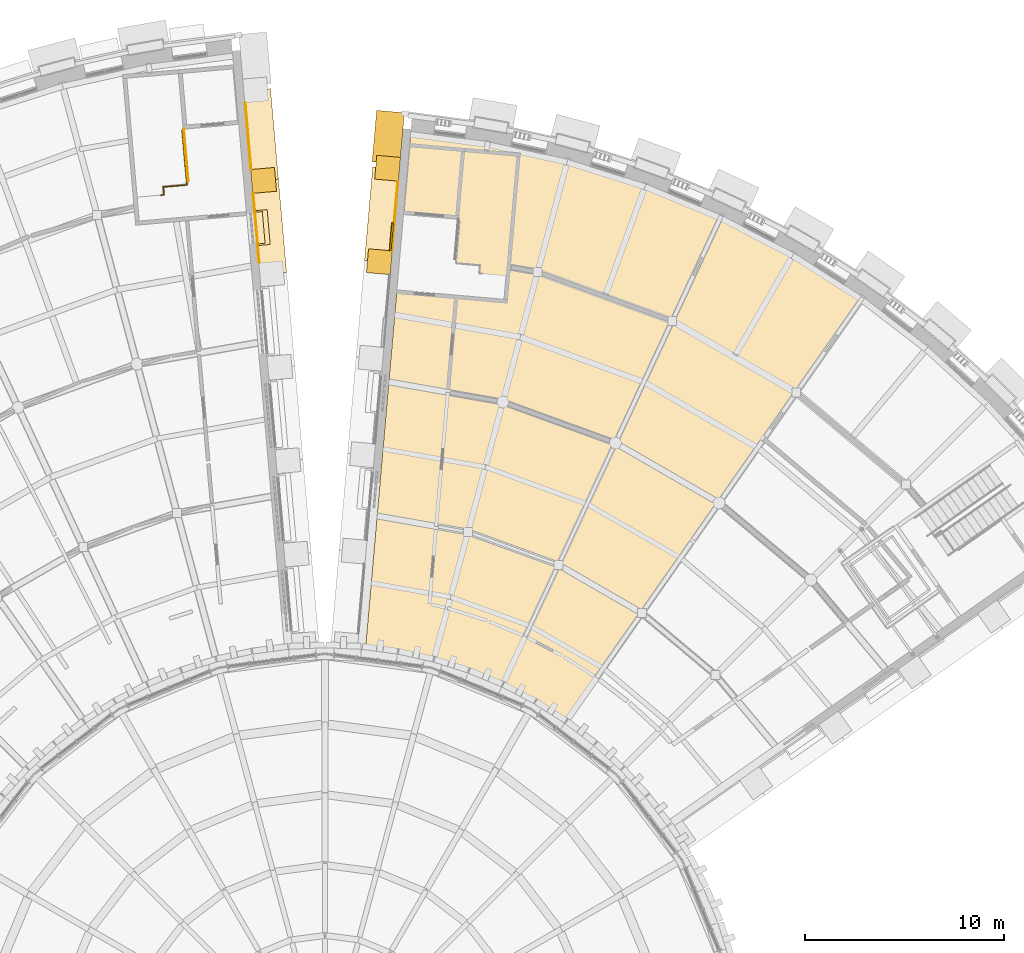
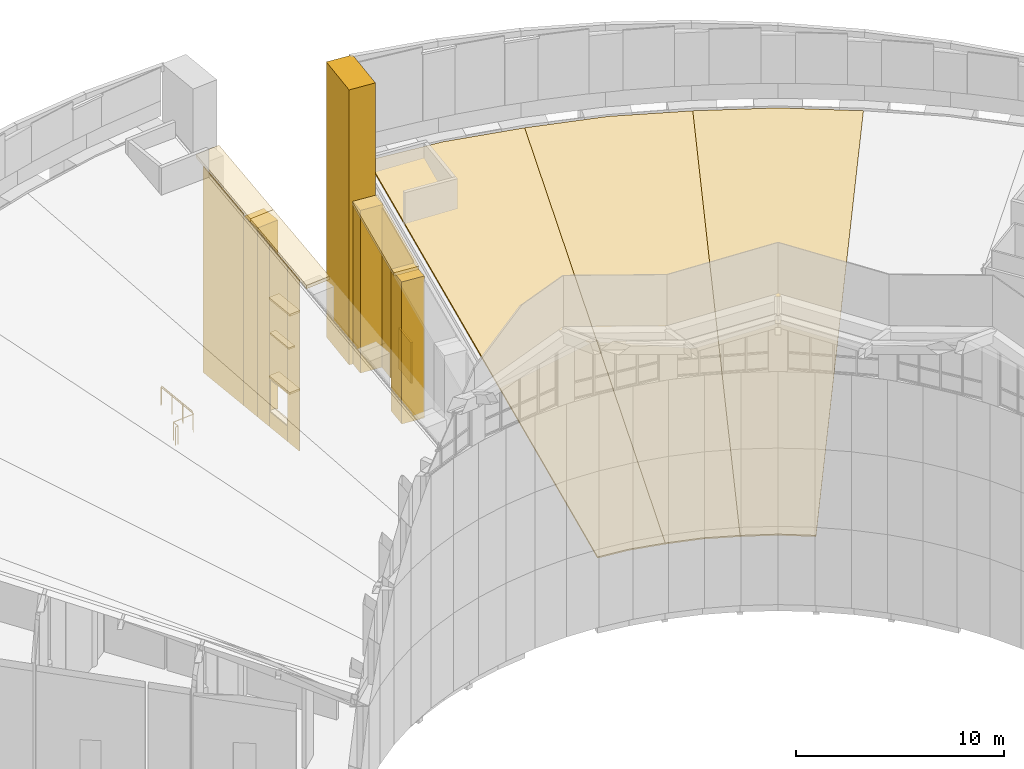
# One storey, part 78 of 82: 21 coverings, 2 railings.
"""IFC4 building model written with IfcOpenShell, lengths in metres."""

from ifc_helpers import new_model, si_unit, direction, frame, origin, origin_2d, place, context, subcontext, project, spatial, polyline, rectangle, circle, outline, extrude, material, layer, layer_set, type_object, element, save


model = new_model("IFC4")

# Units and contexts
model_context = context("Model", 3, precision=1e-05, world=origin(), true_north=direction((0.0, 1.0)))
body_context = subcontext(model_context, "Body", "Model", "MODEL_VIEW")
ifc_project = project(units=[si_unit("LENGTHUNIT", "METRE"), si_unit("AREAUNIT", "SQUARE_METRE"), si_unit("VOLUMEUNIT", "CUBIC_METRE"), si_unit("PLANEANGLEUNIT", "RADIAN"), si_unit("MASSUNIT", "GRAM", prefix="KILO")], contexts=[model_context])

# Site, building, storey
site_placement = place(None, origin())
site = spatial("IfcSite", under=ifc_project, at=site_placement, CompositionType="ELEMENT")
building_placement = place(site_placement, origin())
building = spatial("IfcBuilding", under=site, at=building_placement, Name="Volute Hill Aquarium", CompositionType="ELEMENT")
storey_placement = place(building_placement, frame((0.0, 0.0, 13.800048828125)))
storey = spatial("IfcBuildingStorey", under=building, at=storey_placement, Name="L04", CompositionType="ELEMENT", Elevation=13.800048828125)

# Coverings
ifc_material_1 = material(Name="Aluminium", Category="aluminium")
ifc_layer_1 = layer(ifc_material_1, 0.10009765625)
ifc_layer_set_1 = layer_set([ifc_layer_1], Name="End wall plant louvre panel 100")
covering_type_1 = type_object("IfcCoveringType", Name="End wall plant louvre panel 100", PredefinedType="CLADDING", material=ifc_layer_set_1)
covering_1_placement = place(storey_placement, frame((3.34326171875, 41.65673828125, 1.300048828125), z_axis=(0.0, 0.0, 1.0), x_axis=(0.087153815516, 0.996194866701, 0.0)))
element("IfcCovering", 1, at=covering_1_placement, inside=storey, type_object=covering_type_1, Name="End wall plant louvre EWV S5B L04 5", PredefinedType="CLADDING", context=body_context, shape_type="SweptSolid", body=[
    extrude(rectangle(XDim=1.4111328125, YDim=0.10009765625, at=origin_2d()), origin(), (0.0, 0.0, 1.0), 2.39990234375),
])
ifc_material_2 = material(Name="Precast concrete C40/50", Category="concrete")
covering_type_2 = type_object("IfcCoveringType", Name="End wall precast coping C40/50 1350x200", PredefinedType="CLADDING", material=ifc_material_2)
covering_2_placement = place(storey_placement, frame((3.3291015625, 40.347412109375, 8.350830078125), z_axis=(0.996192649769, -0.087179152014, 0.0), x_axis=(0.084433564332, 0.964818930191, 0.248988765126)))
element("IfcCovering", 2, at=covering_2_placement, inside=storey, type_object=covering_type_2, Name="End wall coping EWC S5B L04 5", PredefinedType="CLADDING", context=body_context, shape_type="SweptSolid", body=[
    extrude(outline(polyline([(0.0, 0.0), (4.869305420805515, 0.0), (4.919091016176262, 0.19365398428063907), (0.049785595370747164, 0.19365398428063915), (0.0, 0.0)])), origin(), (0.0, 0.0, -1.0), 1.35009765625),
])
covering_3_placement = place(storey_placement, frame((-1.93115234375, 39.856689453125, 9.893798828125), z_axis=(0.996192817853, 0.087177231304, 0.0), x_axis=(-0.084431873292, 0.964821026236, 0.248981216369)))
element("IfcCovering", 3, at=covering_3_placement, inside=storey, type_object=covering_type_2, Name="End wall coping EWC S6A L04 5", PredefinedType="CLADDING", context=body_context, shape_type="SweptSolid", body=[
    extrude(outline(polyline([(0.0, 0.0), (4.866511376017529, 0.0), (4.916295462005398, 0.19365437231453964), (0.04978408598786831, 0.1936543723145396), (0.0, 0.0)])), origin(), (0.0, 0.0, -1.0), 1.35009765625),
])
covering_4_placement = place(storey_placement, frame((-2.342041015625, 44.552001953125, 11.10546875), z_axis=(0.996195285208, 0.087149031717, 0.0), x_axis=(-0.084404903386, 0.964827321026, 0.248965967324)))
element("IfcCovering", 4, at=covering_4_placement, inside=storey, type_object=covering_type_2, Name="End wall coping EWC S6A L04 6", PredefinedType="CLADDING", context=body_context, shape_type="SweptSolid", body=[
    extrude(outline(polyline([(0.0, 0.0), (4.711871729843436, 0.0), (4.761652766766774, 0.1936551561333264), (0.04978103692333848, 0.19365515613332634), (0.0, 0.0)])), origin(), (0.0, 0.0, -1.0), 1.35009765625),
])
ifc_material_3 = material(Name="Precast concrete C40/50", Category="concrete")
covering_type_3 = type_object("IfcCoveringType", Name="End wall precast fin C40/50 1200x1200", PredefinedType="CLADDING", material=ifc_material_3)
covering_5_placement = place(storey_placement, frame((2.7314453125, 40.399658203125, 0.0), z_axis=(0.0, 0.0, 1.0), x_axis=(0.087153815516, 0.996194866701, 0.0)))
element("IfcCovering", 5, at=covering_5_placement, inside=storey, type_object=covering_type_3, Name="End wall fin EWF S5B L04 5", PredefinedType="CLADDING", context=body_context, shape_type="SweptSolid", body=[
    extrude(rectangle(XDim=1.199951171875, YDim=1.199951171875, at=origin_2d()), origin(), (0.0, 0.0, 1.0), 8.350830078125),
])
covering_6_placement = place(storey_placement, frame((3.142578125, 45.09765625, 0.0), z_axis=(0.0, 0.0, 1.0), x_axis=(0.087153815516, 0.996194866701, 0.0)))
element("IfcCovering", 6, at=covering_6_placement, inside=storey, type_object=covering_type_3, Name="End wall fin EWF S5B L04 6", PredefinedType="CLADDING", context=body_context, shape_type="SweptSolid", body=[
    extrude(rectangle(XDim=1.199951171875, YDim=1.199951171875, at=origin_2d()), origin(), (0.0, 0.0, 1.0), 9.563232421875),
])
covering_7_placement = place(storey_placement, frame((-3.089111328125, 44.48681640625, 0.0), z_axis=(0.0, 0.0, 1.0), x_axis=(-0.08715511842, 0.996194752713, 0.0)))
element("IfcCovering", 7, at=covering_7_placement, inside=storey, type_object=covering_type_3, Name="End wall fin EWF S6A L04 6", PredefinedType="CLADDING", context=body_context, shape_type="SweptSolid", body=[
    extrude(rectangle(XDim=1.199951171875, YDim=1.199951171875, at=origin_2d()), origin(), (0.0, 0.0, 1.0), 11.10546875),
])
ifc_material_4 = material(Name="Precast concrete C40/50", Category="concrete")
ifc_layer_2 = layer(ifc_material_4, 0.050048828125)
ifc_layer_set_2 = layer_set([ifc_layer_2], Name="End wall precast infill panel C40/50 50")
covering_type_4 = type_object("IfcCoveringType", Name="End wall precast infill panel C40/50 50", PredefinedType="CLADDING", material=ifc_layer_set_2)
covering_8_placement = place(storey_placement, frame((3.381591796875, 40.945068359375, 0.0), z_axis=(0.996195902867, -0.087141971011, 0.0), x_axis=(0.087141971011, 0.996195902867, 0.0)))
element("IfcCovering", 8, at=covering_8_placement, inside=storey, type_object=covering_type_4, Name="End wall panel EWP S5B L04 5", PredefinedType="CLADDING", context=body_context, shape_type="SweptSolid", body=[
    extrude(outline(polyline([(0.0, 0.0), (3.516060984386417, 0.0), (3.516060984386417, 9.408935546875), (0.0, 8.5048828125), (0.0, 0.0)])), origin(), (0.0, 0.0, -1.0), 0.050048828125),
])
covering_9_placement = place(storey_placement, frame((-3.278564453125, 40.341064453125, 0.0), z_axis=(0.996203187623, 0.087058652472, 0.0), x_axis=(-0.087058652472, 0.996203187623, 0.0)))
element("IfcCovering", 9, at=covering_9_placement, inside=storey, type_object=covering_type_4, Name="End wall panel EWP S6A L04 5", PredefinedType="CLADDING", context=body_context, shape_type="SweptSolid", body=[
    extrude(outline(polyline([(0.0, 0.0), (1.0067521364726002, 0.0), (1.0067521364726002, 10.306884765625002), (0.0, 10.048095703125002), (0.0, 0.0)])), origin(), (0.0, 0.0, -1.0), 0.050048828125),
])
covering_10_placement = place(storey_placement, frame((-3.3662109375, 41.343994140625, 0.0), z_axis=(0.996202015853, 0.087072059873, 0.0), x_axis=(-0.087072059873, 0.996202015853, 0.0)))
element("IfcCovering", 10, at=covering_10_placement, inside=storey, type_object=covering_type_4, Name="End wall panel EWP S6A L04 5", PredefinedType="CLADDING", context=body_context, shape_type="SweptSolid", body=[
    extrude(outline(polyline([(0.0, 0.0), (1.5000820534833827, 0.0), (1.5000820534833827, 0.89990234375), (0.0, 0.89990234375), (0.0, 0.0)])), origin(), (0.0, 0.0, -1.0), 0.050048828125),
])
covering_11_placement = place(storey_placement, frame((-3.3662109375, 41.343994140625, 2.800048828125), z_axis=(0.996202015853, 0.087072059873, 0.0), x_axis=(-0.087072059873, 0.996202015853, 0.0)))
element("IfcCovering", 11, at=covering_11_placement, inside=storey, type_object=covering_type_4, Name="End wall panel EWP S6A L04 5", PredefinedType="CLADDING", context=body_context, shape_type="SweptSolid", body=[
    extrude(outline(polyline([(0.0, 0.0), (1.5000820534833827, 0.0), (1.5000820534833827, 7.892333984375002), (0.0, 7.506835937500002), (0.0, 0.0)])), origin(), (0.0, 0.0, -1.0), 0.050048828125),
])
covering_12_placement = place(storey_placement, frame((-3.496826171875, 42.83837890625, 0.0), z_axis=(0.996180278365, 0.087320404239, 0.0), x_axis=(-0.087320404239, 0.996180278365, 0.0)))
element("IfcCovering", 12, at=covering_12_placement, inside=storey, type_object=covering_type_4, Name="End wall panel EWP S6A L04 5", PredefinedType="CLADDING", context=body_context, shape_type="SweptSolid", body=[
    extrude(outline(polyline([(0.0, 0.0), (1.0065302121024031, 0.0), (1.0065302121024031, 10.951171875), (0.0, 10.6923828125), (0.0, 0.0)])), origin(), (0.0, 0.0, -1.0), 0.050048828125),
])
covering_13_placement = place(storey_placement, frame((-3.689208984375, 45.03662109375, 0.0), z_axis=(0.99619222024, 0.087184060082, 0.0), x_axis=(-0.087184060082, 0.99619222024, 0.0)))
element("IfcCovering", 13, at=covering_13_placement, inside=storey, type_object=covering_type_4, Name="End wall panel EWP S6A L04 6", PredefinedType="CLADDING", context=body_context, shape_type="SweptSolid", body=[
    extrude(outline(polyline([(0.0, 0.0), (3.3631479234663875, 0.0), (3.3631479234663875, 12.124267578125004), (0.0, 11.259765625000002), (0.0, 0.0)])), origin(), (0.0, 0.0, -1.0), 0.050048828125),
])
ifc_material_5 = material(Name="Precast concrete C40/50", Category="concrete")
ifc_layer_3 = layer(ifc_material_5, 0.1201171875)
ifc_layer_set_3 = layer_set([ifc_layer_3], Name="End wall window head blade precast C40/50 600x120")
covering_type_5 = type_object("IfcCoveringType", Name="End wall window head blade precast C40/50 600x120", PredefinedType="CLADDING", material=ifc_layer_set_3)
for number, where, z_axis, x_axis, name in (
    (14, (-3.1328125, 42.1171875, 2.7998046875), (0.0, 0.0, 1.0), (-0.08715511842, 0.996194752713, 0.0), "End wall window head blade EWB S6A L04 5.1"),
    (15, (-3.1328125, 42.1171875, 7.39990234375), (0.0, 0.0, 1.0), (-0.08715511842, 0.996194752713, 0.0), "End wall window head blade EWB S6A L04 5.2"),
):
    element("IfcCovering", number, at=place(storey_placement, frame(where, z_axis=z_axis, x_axis=x_axis)), inside=storey, type_object=covering_type_5, Name=name, PredefinedType="CLADDING", context=body_context, shape_type="SweptSolid", body=[
        extrude(rectangle(XDim=1.760009765625, YDim=0.60009765625, at=origin_2d()), origin(), (0.0, 0.0, 1.0), 0.1201171875),
    ])
ifc_material_6 = material(Name="Precast concrete C40/50", Category="concrete")
ifc_layer_4 = layer(ifc_material_6, 0.10009765625)
ifc_layer_set_4 = layer_set([ifc_layer_4], Name="End wall window sill precast C40/50 350x100")
covering_type_6 = type_object("IfcCoveringType", Name="End wall window sill precast C40/50 350x100", PredefinedType="CLADDING", material=ifc_layer_set_4)
for number, where, z_axis, x_axis, name in (
    (16, (-3.25732421875, 42.1064453125, 0.7998046875), (0.0, 0.0, 1.0), (-0.08715511842, 0.996194752713, 0.0), "End wall window sill EWS S6A L04 5.1"),
    (17, (-3.25732421875, 42.1064453125, 5.39990234375), (0.0, 0.0, 1.0), (-0.08715511842, 0.996194752713, 0.0), "End wall window sill EWS S6A L04 5.2"),
):
    element("IfcCovering", number, at=place(storey_placement, frame(where, z_axis=z_axis, x_axis=x_axis)), inside=storey, type_object=covering_type_6, Name=name, PredefinedType="CLADDING", context=body_context, shape_type="SweptSolid", body=[
        extrude(rectangle(XDim=1.60009765625, YDim=0.35009765625, at=origin_2d()), origin(), (0.0, 0.0, 1.0), 0.10009765625),
    ])

# Railings
ifc_material_7 = material(Name="Stainless steel 1.4301", Category="steel")
railing_type = type_object("IfcRailingType", Name="Guard 1100 stainless", PredefinedType="GUARDRAIL", material=ifc_material_7)
railing_1_placement = place(storey_placement, frame((-7.0986328125, 47.060302734375, 0.0)))
element("IfcRailing", 18, at=railing_1_placement, inside=storey, type_object=railing_type, Name="gd/S6-A/L04/edge", PredefinedType="GUARDRAIL", context=body_context, shape_type="SweptSolid", body=[
    extrude(circle(Radius=0.02392578125, at=origin_2d()), frame((0.0, 0.0, 1.076171875), z_axis=(0.087140158824, -0.996196061386, 0.0), x_axis=(0.996196061386, 0.087140158824, 0.0)), (0.0, 0.0, 1.0), 2.60009765625),
    extrude(circle(Radius=0.02099609375, at=origin_2d()), origin(), (0.0, 0.0, 1.0), 1.052001953125),
    extrude(circle(Radius=0.02099609375, at=origin_2d()), frame((0.075439453125, -0.86328125, 0.0)), (0.0, 0.0, 1.0), 1.052001953125),
    extrude(circle(Radius=0.02099609375, at=origin_2d()), frame((0.151123046875, -1.726806640625, 0.0)), (0.0, 0.0, 1.0), 1.052001953125),
    extrude(circle(Radius=0.02099609375, at=origin_2d()), frame((0.2265625, -2.590087890625, 0.0)), (0.0, 0.0, 1.0), 1.052001953125),
])
railing_2_placement = place(storey_placement, frame((-8.244384765625, 43.747802734375, 0.0)))
element("IfcRailing", 19, at=railing_2_placement, inside=storey, type_object=railing_type, Name="gd/S6-A/L04/well", PredefinedType="GUARDRAIL", context=body_context, shape_type="SweptSolid", body=[
    extrude(circle(Radius=0.02392578125, at=origin_2d()), frame((0.0, 0.0, 1.076171875), z_axis=(0.996142393732, 0.087751532237, 0.0), x_axis=(-0.087751532237, 0.996142393732, 0.0)), (0.0, 0.0, 1.0), 0.150146484375),
    extrude(circle(Radius=0.02392578125, at=origin_2d()), frame((0.149658203125, 0.01318359375, 1.076171875), z_axis=(-0.087288103317, 0.996183109182, 0.0), x_axis=(-0.996183109182, -0.087288103317, 0.0)), (0.0, 0.0, 1.0), 0.39990234375),
    extrude(circle(Radius=0.02392578125, at=origin_2d()), frame((0.11474609375, 0.41162109375, 1.076171875), z_axis=(0.996183109182, 0.087288103317, 0.0), x_axis=(-0.087288103317, 0.996183109182, 0.0)), (0.0, 0.0, 1.0), 1.199951171875),
    extrude(circle(Radius=0.02392578125, at=origin_2d()), frame((1.31005859375, 0.516357421875, 1.076171875), z_axis=(-0.087093161749, 0.996200171239, 0.0), x_axis=(-0.996200171239, -0.087093161749, 0.0)), (0.0, 0.0, 1.0), 2.75),
    extrude(circle(Radius=0.02099609375, at=origin_2d()), origin(), (0.0, 0.0, 1.0), 1.052001953125),
    extrude(circle(Radius=0.02099609375, at=origin_2d()), frame((0.149658203125, 0.01318359375, 0.0)), (0.0, 0.0, 1.0), 1.052001953125),
    extrude(circle(Radius=0.02099609375, at=origin_2d()), frame((0.11474609375, 0.41162109375, 0.0)), (0.0, 0.0, 1.0), 1.052001953125),
    extrude(circle(Radius=0.02099609375, at=origin_2d()), frame((1.31005859375, 0.516357421875, 0.0)), (0.0, 0.0, 1.0), 1.052001953125),
    extrude(circle(Radius=0.02099609375, at=origin_2d()), frame((1.230224609375, 1.429443359375, 0.0)), (0.0, 0.0, 1.0), 1.052001953125),
    extrude(circle(Radius=0.02099609375, at=origin_2d()), frame((1.150390625, 2.3427734375, 0.0)), (0.0, 0.0, 1.0), 1.052001953125),
    extrude(circle(Radius=0.02099609375, at=origin_2d()), frame((1.070556640625, 3.255859375, 0.0)), (0.0, 0.0, 1.0), 1.052001953125),
])

# Coverings
ifc_material_8 = material(Name="Single-ply membrane with gravel ballast")
ifc_layer_5 = layer(ifc_material_8, 0.10009765625)
ifc_layer_set_5 = layer_set([ifc_layer_5], Name="Membrane roofing ballasted 100")
covering_type_7 = type_object("IfcCoveringType", Name="Membrane roofing ballasted 100", PredefinedType="ROOFING", material=ifc_layer_set_5)
covering_14_placement = place(storey_placement, frame((27.0439453125, 38.622802734375, 10.42578125), z_axis=(-0.124936610732, -0.216405159009, 0.968276639423), x_axis=(-0.843355356369, 0.537238430935, 0.011252164682)))
element("IfcCovering", 20, at=covering_14_placement, inside=storey, type_object=covering_type_7, Name="Membrane roof RF S5 3", PredefinedType="ROOFING", context=body_context, shape_type="SweptSolid", body=[
    extrude(outline(polyline([(0.0, 0.0), (4.113598584501526, -4.683753385137379e-17), (8.210313010413216, 0.37016917355713375), (4.722553671693666, 27.143752075501254), (2.8978593403497124, 26.978909733794037), (1.0656577197471753, 26.978997230818457), (0.0, 0.0)])), origin(), (0.0, 0.0, -1.0), 0.10009765625),
])
covering_15_placement = place(storey_placement, frame((19.92626953125, 42.73193359375, 10.42578125), z_axis=(-0.085464867374, -0.23481012195, 0.968276800855), x_axis=(-0.92380381468, 0.382700374382, 0.011266562483)))
element("IfcCovering", 21, at=covering_15_placement, inside=storey, type_object=covering_type_7, Name="Membrane roof RF S5 4", PredefinedType="ROOFING", context=body_context, shape_type="SweptSolid", body=[
    extrude(outline(polyline([(0.0, 0.0), (4.11347632724225, 1.3704315460216776e-16), (8.210454585993189, 0.3705611846776935), (4.720398787420702, 27.143889841526082), (2.8958047481089957, 26.979053967509156), (1.0636704024450248, 26.978840076744262), (0.0, 0.0)])), origin(), (0.0, 0.0, -1.0), 0.10009765625),
])
covering_16_placement = place(storey_placement, frame((3.646484375, 20.680908203125, 3.723876953125), z_axis=(-0.043384272563, -0.246082661921, 0.968277402605), x_axis=(0.976240308167, -0.216398189176, -0.011255417901)))
element("IfcCovering", 22, at=covering_16_placement, inside=storey, type_object=covering_type_7, Name="Membrane roof RF S5 5", PredefinedType="ROOFING", context=body_context, shape_type="SweptSolid", body=[
    extrude(outline(polyline([(0.0, 0.0), (1.8323486591015874, 1.474514954580286e-17), (2.8977998655055295, 26.978814476621494), (-1.2156140295262887, 26.979080329974288), (-5.113099995881738, 26.62693031714487), (-1.62515618767581, -0.14664243361418805), (0.0, 0.0)])), origin(), (0.0, 0.0, -1.0), 0.10009765625),
])
ifc_material_9 = material(Name="Precast concrete C40/50", Category="concrete")
covering_type_8 = type_object("IfcCoveringType", Name="Step pylon precast concrete C40/50 1400x2600", PredefinedType="CLADDING", material=ifc_material_9)
covering_17_placement = place(storey_placement, frame((3.177978515625, 46.650634765625, 0.0), z_axis=(0.0, 0.0, 1.0), x_axis=(0.087155742748, 0.996194698092, 0.0)))
element("IfcCovering", 23, at=covering_17_placement, inside=storey, type_object=covering_type_8, Name="Step pylon SPY S5B L04", PredefinedType="CLADDING", context=body_context, shape_type="SweptSolid", body=[
    extrude(rectangle(XDim=2.60009765625, YDim=1.39990234375, at=origin_2d()), origin(), (0.0, 0.0, 1.0), 16.169921875),
])

save(model, "model.ifc")
